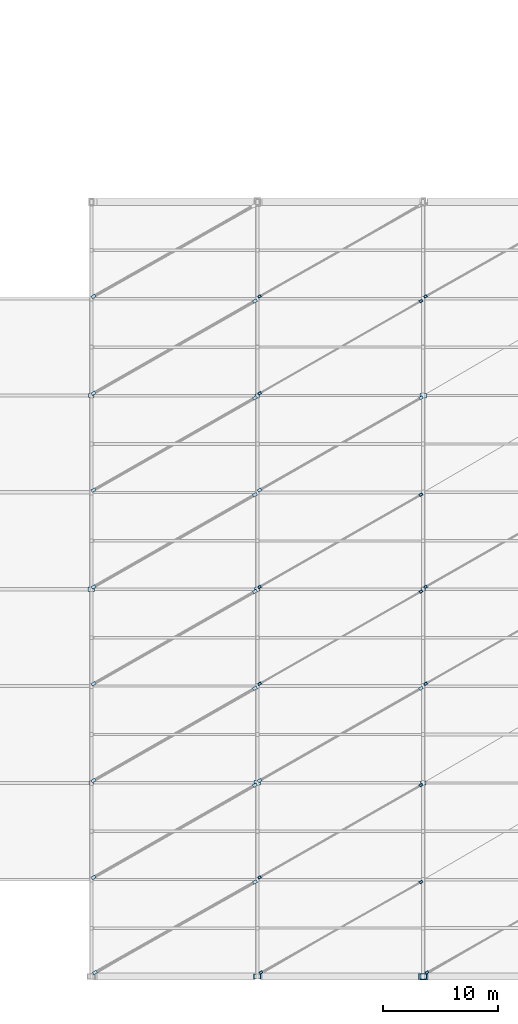
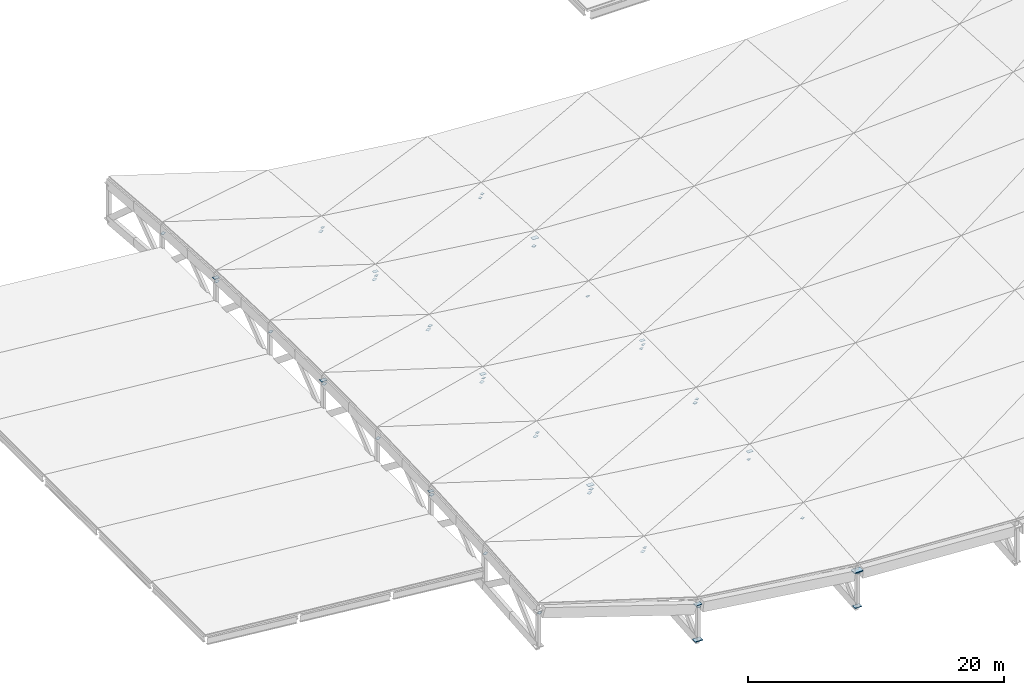
# One storey, part 15 of 22: 47 plates.
"""IFC4 building model written with IfcOpenShell, lengths in metres."""

from ifc_helpers import new_model, si_unit, direction, frame, origin, origin_2d, place, context, subcontext, project, spatial, rectangle, extrude, material, layer, layer_set, type_object, element, save


model = new_model("IFC4")

# Units and contexts
model_context = context("Model", 3, precision=1e-05, world=origin(), true_north=direction((0.0, 1.0)))
body_context = subcontext(model_context, "Body", "Model", "MODEL_VIEW")
ifc_project = project(units=[si_unit("LENGTHUNIT", "METRE"), si_unit("AREAUNIT", "SQUARE_METRE"), si_unit("VOLUMEUNIT", "CUBIC_METRE"), si_unit("PLANEANGLEUNIT", "RADIAN"), si_unit("MASSUNIT", "GRAM", prefix="KILO"), si_unit("THERMODYNAMICTEMPERATUREUNIT", "KELVIN")], contexts=[model_context])

# Site, building, storey
site_placement = place(None, origin())
site = spatial("IfcSite", under=ifc_project, at=site_placement, CompositionType="ELEMENT")
building_placement = place(site_placement, origin())
building = spatial("IfcBuilding", under=site, at=building_placement, Name="Nduvali Passage Aquatics Centre", CompositionType="ELEMENT")
storey_placement = place(building_placement, frame((0.0, 0.0, 21.60009765625)))
storey = spatial("IfcBuildingStorey", under=building, at=storey_placement, Name="RF", CompositionType="ELEMENT", Elevation=21.60009765625)

# Plates
ifc_material = material(Name="Steel S355", Category="steel")
ifc_layer_1 = layer(ifc_material, 0.01611328125, Name="Steel S355")
ifc_layer_set_1 = layer_set([ifc_layer_1], Name="Steel S355")
plate_type_1 = type_object("IfcPlateType", Name="STR-PLT-CAP1", PredefinedType="SHEET", material=ifc_layer_set_1)
for number, where, z_axis, x_axis, name in (
    (1, (39.800048828125, 42.199951171875, -5.308837890625), (0.0, 0.0, 1.0), (0.866025403784, 0.5, 0.0), "Roof Brace End-Cap Gusset Plate 0077"),
    (2, (53.800048828125, 50.199951171875, -6.844482421875), (0.0, 0.0, 1.0), (0.866025403784, 0.5, 0.0), "Roof Brace End-Cap Gusset Plate 0078"),
    (3, (39.800048828125, 67.39990234375, -5.0087890625), (0.0, 0.0, 1.0), (0.866025403784, 0.5, 0.0), "Roof Brace End-Cap Gusset Plate 0083"),
    (4, (53.800048828125, 75.39990234375, -7.14453125), (0.0, 0.0, 1.0), (0.866025403784, 0.5, 0.0), "Roof Brace End-Cap Gusset Plate 0084"),
):
    element("IfcPlate", number, at=place(storey_placement, frame(where, z_axis=z_axis, x_axis=x_axis)), inside=storey, type_object=plate_type_1, Name=name, PredefinedType="SHEET", context=body_context, shape_type="SweptSolid", body=[
        extrude(rectangle(XDim=0.340087890625, YDim=0.239990234375, at=origin_2d()), origin(), (0.0, 0.0, 1.0), 0.01611328125),
    ])
ifc_layer_2 = layer(ifc_material, 0.010009765625, Name="Steel S355")
ifc_layer_set_2 = layer_set([ifc_layer_2], Name="Steel S355")
plate_type_2 = type_object("IfcPlateType", Name="STR-PLT-CAP2", PredefinedType="SHEET", material=ifc_layer_set_2)
for number, where, z_axis, x_axis, name in (
    (5, (39.919921875, 25.550048828125, -6.505859375), (0.0, 0.0, 1.0), (0.866025403784, 0.5, 0.0), "Roof Brace End-Cap Gusset Plate 0073"),
    (6, (53.800048828125, 33.39990234375, -7.6416015625), (0.0, 0.0, 1.0), (0.866025403784, 0.5, 0.0), "Roof Brace End-Cap Gusset Plate 0074"),
    (7, (39.800048828125, 33.800048828125, -5.8056640625), (0.0, 0.0, 1.0), (0.866025403784, 0.5, 0.0), "Roof Brace End-Cap Gusset Plate 0075"),
    (8, (53.800048828125, 41.800048828125, -7.1416015625), (0.0, 0.0, 1.0), (0.866025403784, 0.5, 0.0), "Roof Brace End-Cap Gusset Plate 0076"),
    (9, (39.800048828125, 50.60009765625, -5.005859375), (0.0, 0.0, 1.0), (0.866025403784, 0.5, 0.0), "Roof Brace End-Cap Gusset Plate 0079"),
    (10, (53.800048828125, 58.60009765625, -6.74169921875), (0.0, 0.0, 1.0), (0.866025403784, 0.5, 0.0), "Roof Brace End-Cap Gusset Plate 0080"),
    (11, (39.800048828125, 59.0, -4.90576171875), (0.0, 0.0, 1.0), (0.866025403784, 0.5, 0.0), "Roof Brace End-Cap Gusset Plate 0081"),
    (12, (53.800048828125, 67.0, -6.84130859375), (0.0, 0.0, 1.0), (0.866025403784, 0.5, 0.0), "Roof Brace End-Cap Gusset Plate 0082"),
    (13, (39.800048828125, 75.800048828125, -5.3056640625), (0.0, 0.0, 1.0), (0.866025403784, 0.5, 0.0), "Roof Brace End-Cap Gusset Plate 0085"),
    (14, (53.800048828125, 83.800048828125, -7.6416015625), (0.0, 0.0, 1.0), (0.866025403784, 0.5, 0.0), "Roof Brace End-Cap Gusset Plate 0086"),
    (15, (39.800048828125, 84.199951171875, -5.8056640625), (0.0, 0.0, 1.0), (0.866025403784, 0.5, 0.0), "Roof Brace End-Cap Gusset Plate 0087"),
    (16, (54.320068359375, 25.550048828125, -8.34130859375), (0.0, 0.0, 1.0), (0.866025403784, 0.5, 0.0), "Roof Brace End-Cap Gusset Plate 0089"),
    (17, (54.199951171875, 50.60009765625, -6.84130859375), (0.0, 0.0, 1.0), (0.866025403784, 0.5, 0.0), "Roof Brace End-Cap Gusset Plate 0091"),
    (18, (54.199951171875, 59.0, -6.74169921875), (0.0, 0.0, 1.0), (0.866025403784, 0.5, 0.0), "Roof Brace End-Cap Gusset Plate 0093"),
    (19, (54.199951171875, 84.199951171875, -7.6416015625), (0.0, 0.0, 1.0), (0.866025403784, 0.5, 0.0), "Roof Brace End-Cap Gusset Plate 0095"),
):
    element("IfcPlate", number, at=place(storey_placement, frame(where, z_axis=z_axis, x_axis=x_axis)), inside=storey, type_object=plate_type_2, Name=name, PredefinedType="SHEET", context=body_context, shape_type="SweptSolid", body=[
        extrude(rectangle(XDim=0.280029296875, YDim=0.199951171875, at=origin_2d()), origin(), (0.0, 0.0, 1.0), 0.010009765625),
    ])
ifc_layer_3 = layer(ifc_material, 0.02490234375, Name="Steel S355")
ifc_layer_set_3 = layer_set([ifc_layer_3], Name="Steel S355")
plate_type_3 = type_object("IfcPlateType", Name="STR-PLT-CAP3", PredefinedType="SHEET", material=ifc_layer_set_3)
for number, where, z_axis, x_axis, name in (
    (20, (25.52001953125, 25.550048828125, -2.03466796875), (0.0, 0.0, 1.0), (0.866025403784, 0.5, 0.0), "Roof Brace End-Cap Gusset Plate 0057"),
    (21, (39.39990234375, 33.39990234375, -5.813232421875), (0.0, 0.0, 1.0), (0.866025403784, 0.5, 0.0), "Roof Brace End-Cap Gusset Plate 0058"),
    (22, (25.39990234375, 33.800048828125, -1.33447265625), (0.0, 0.0, 1.0), (0.866025403784, 0.5, 0.0), "Roof Brace End-Cap Gusset Plate 0059"),
    (23, (39.39990234375, 41.800048828125, -5.313232421875), (0.0, 0.0, 1.0), (0.866025403784, 0.5, 0.0), "Roof Brace End-Cap Gusset Plate 0060"),
    (24, (25.39990234375, 42.199951171875, -0.83447265625), (0.0, 0.0, 1.0), (0.866025403784, 0.5, 0.0), "Roof Brace End-Cap Gusset Plate 0061"),
    (25, (39.39990234375, 50.199951171875, -5.01318359375), (0.0, 0.0, 1.0), (0.866025403784, 0.5, 0.0), "Roof Brace End-Cap Gusset Plate 0062"),
    (26, (25.39990234375, 50.60009765625, -0.53466796875), (0.0, 0.0, 1.0), (0.866025403784, 0.5, 0.0), "Roof Brace End-Cap Gusset Plate 0063"),
    (27, (39.39990234375, 58.60009765625, -4.913330078125), (0.0, 0.0, 1.0), (0.866025403784, 0.5, 0.0), "Roof Brace End-Cap Gusset Plate 0064"),
    (28, (25.39990234375, 59.0, -0.4345703125), (0.0, 0.0, 1.0), (0.866025403784, 0.5, 0.0), "Roof Brace End-Cap Gusset Plate 0065"),
    (29, (39.39990234375, 67.0, -5.01318359375), (0.0, 0.0, 1.0), (0.866025403784, 0.5, 0.0), "Roof Brace End-Cap Gusset Plate 0066"),
    (30, (25.39990234375, 67.39990234375, -0.53466796875), (0.0, 0.0, 1.0), (0.866025403784, 0.5, 0.0), "Roof Brace End-Cap Gusset Plate 0067"),
    (31, (39.39990234375, 75.39990234375, -5.313232421875), (0.0, 0.0, 1.0), (0.866025403784, 0.5, 0.0), "Roof Brace End-Cap Gusset Plate 0068"),
    (32, (25.39990234375, 75.800048828125, -0.83447265625), (0.0, 0.0, 1.0), (0.866025403784, 0.5, 0.0), "Roof Brace End-Cap Gusset Plate 0069"),
    (33, (39.39990234375, 83.800048828125, -5.813232421875), (0.0, 0.0, 1.0), (0.866025403784, 0.5, 0.0), "Roof Brace End-Cap Gusset Plate 0070"),
    (34, (25.39990234375, 84.199951171875, -1.33447265625), (0.0, 0.0, 1.0), (0.866025403784, 0.5, 0.0), "Roof Brace End-Cap Gusset Plate 0071"),
):
    element("IfcPlate", number, at=place(storey_placement, frame(where, z_axis=z_axis, x_axis=x_axis)), inside=storey, type_object=plate_type_3, Name=name, PredefinedType="SHEET", context=body_context, shape_type="SweptSolid", body=[
        extrude(rectangle(XDim=0.3798828125, YDim=0.260009765625, at=origin_2d()), origin(), (0.0, 0.0, 1.0), 0.02490234375),
    ])
ifc_layer_4 = layer(ifc_material, 0.070068359375, Name="Steel S355")
ifc_layer_set_4 = layer_set([ifc_layer_4], Name="Steel S355")
plate_type_4 = type_object("IfcPlateType", Name="STR-PLT-GN2", PredefinedType="SHEET", material=ifc_layer_set_4)
plate_1_placement = place(storey_placement, frame((39.60009765625, 25.199951171875, -9.35791015625), z_axis=(0.0, 0.0, 1.0), x_axis=(1.0, 0.0, 0.0)))
element("IfcPlate", 35, at=plate_1_placement, inside=storey, type_object=plate_type_4, Name="Glulam Arch Pinned Steel Shoe Node GN2 Rib 2", PredefinedType="SHEET", context=body_context, shape_type="SweptSolid", body=[
    extrude(rectangle(XDim=0.679931640625, YDim=0.4599609375, at=origin_2d()), origin(), (0.0, 0.0, 1.0), 0.070068359375),
])
ifc_layer_5 = layer(ifc_material, 0.06005859375, Name="Steel S355")
ifc_layer_set_5 = layer_set([ifc_layer_5], Name="Steel S355")
plate_type_5 = type_object("IfcPlateType", Name="STR-PLT-GN3", PredefinedType="SHEET", material=ifc_layer_set_5)
plate_2_placement = place(storey_placement, frame((54.0, 25.199951171875, -11.1884765625), z_axis=(0.0, 0.0, 1.0), x_axis=(1.0, 0.0, 0.0)))
element("IfcPlate", 36, at=plate_2_placement, inside=storey, type_object=plate_type_5, Name="Glulam Arch Pinned Steel Shoe Node GN3 Rib 3", PredefinedType="SHEET", context=body_context, shape_type="SweptSolid", body=[
    extrude(rectangle(XDim=0.60009765625, YDim=0.419921875, at=origin_2d()), origin(), (0.0, 0.0, 1.0), 0.06005859375),
])
ifc_layer_6 = layer(ifc_material, 0.0400390625, Name="Steel S355")
ifc_layer_set_6 = layer_set([ifc_layer_6], Name="Steel S355")
plate_type_6 = type_object("IfcPlateType", Name="STR-PLT-GN4", PredefinedType="SHEET", material=ifc_layer_set_6)
for number, where, z_axis, x_axis, name in (
    (37, (25.199951171875, 58.800048828125, 0.10595703125), (0.0, 0.0, 1.0), (1.0, 0.0, 0.0), "Glulam Truss Splice Node GN4 R1"),
    (38, (39.60009765625, 42.0, -4.742919921875), (0.0, 0.0, 1.0), (1.0, 0.0, 0.0), "Glulam Truss Splice Node GN4 R2"),
    (39, (54.0, 75.60009765625, -6.57861328125), (0.0, 0.0, 1.0), (1.0, 0.0, 0.0), "Glulam Truss Splice Node GN4 R3"),
):
    element("IfcPlate", number, at=place(storey_placement, frame(where, z_axis=z_axis, x_axis=x_axis)), inside=storey, type_object=plate_type_6, Name=name, PredefinedType="SHEET", context=body_context, shape_type="SweptSolid", body=[
        extrude(rectangle(XDim=0.5400390625, YDim=0.3798828125, at=origin_2d()), origin(), (0.0, 0.0, 1.0), 0.0400390625),
    ])
ifc_layer_7 = layer(ifc_material, 0.030029296875, Name="Steel S355")
ifc_layer_set_7 = layer_set([ifc_layer_7], Name="Steel S355")
plate_type_7 = type_object("IfcPlateType", Name="STR-PLT-GN5", PredefinedType="SHEET", material=ifc_layer_set_7)
for number, where, z_axis, x_axis, name in (
    (40, (25.199951171875, 75.60009765625, -0.2890625), (0.0, 0.0, 1.0), (1.0, 0.0, 0.0), "Glulam Truss Splice Node GN5 R1"),
    (41, (39.60009765625, 58.800048828125, -4.337890625), (0.0, 0.0, 1.0), (1.0, 0.0, 0.0), "Glulam Truss Splice Node GN5 R2"),
    (42, (54.0, 42.0, -6.57373046875), (0.0, 0.0, 1.0), (1.0, 0.0, 0.0), "Glulam Truss Splice Node GN5 R3"),
):
    element("IfcPlate", number, at=place(storey_placement, frame(where, z_axis=z_axis, x_axis=x_axis)), inside=storey, type_object=plate_type_7, Name=name, PredefinedType="SHEET", context=body_context, shape_type="SweptSolid", body=[
        extrude(rectangle(XDim=0.47998046875, YDim=0.340087890625, at=origin_2d()), origin(), (0.0, 0.0, 1.0), 0.030029296875),
    ])
ifc_layer_8 = layer(ifc_material, 0.02001953125, Name="Steel S355")
ifc_layer_set_8 = layer_set([ifc_layer_8], Name="Steel S355")
plate_type_8 = type_object("IfcPlateType", Name="STR-PLT-GN6", PredefinedType="SHEET", material=ifc_layer_set_8)
for number, where, z_axis, x_axis, name in (
    (43, (25.199951171875, 42.0, -0.2841796875), (0.0, 0.0, 1.0), (1.0, 0.0, 0.0), "Glulam Truss Splice Node GN6 R1"),
    (44, (39.60009765625, 75.60009765625, -4.73291015625), (0.0, 0.0, 1.0), (1.0, 0.0, 0.0), "Glulam Truss Splice Node GN6 R2"),
    (45, (54.0, 58.800048828125, -6.16845703125), (0.0, 0.0, 1.0), (1.0, 0.0, 0.0), "Glulam Truss Splice Node GN6 R3"),
):
    element("IfcPlate", number, at=place(storey_placement, frame(where, z_axis=z_axis, x_axis=x_axis)), inside=storey, type_object=plate_type_8, Name=name, PredefinedType="SHEET", context=body_context, shape_type="SweptSolid", body=[
        extrude(rectangle(XDim=0.419921875, YDim=0.300048828125, at=origin_2d()), origin(), (0.0, 0.0, 1.0), 0.02001953125),
    ])
ifc_layer_9 = layer(ifc_material, 0.090087890625, Name="Steel S355")
ifc_layer_set_9 = layer_set([ifc_layer_9], Name="Steel S355")
plate_type_9 = type_object("IfcPlateType", Name="STR-PLT-GN7", PredefinedType="SHEET", material=ifc_layer_set_9)
plate_3_placement = place(storey_placement, frame((54.0, 25.199951171875, -7.8037109375), z_axis=(0.0, 0.0, 1.0), x_axis=(1.0, 0.0, 0.0)))
element("IfcPlate", 46, at=plate_3_placement, inside=storey, type_object=plate_type_9, Name="Glulam Arch Pinned Steel Shoe Node GN7 Rib 3", PredefinedType="SHEET", context=body_context, shape_type="SweptSolid", body=[
    extrude(rectangle(XDim=0.820068359375, YDim=0.56005859375, at=origin_2d()), origin(), (0.0, 0.0, 1.0), 0.090087890625),
])
ifc_layer_10 = layer(ifc_material, 0.050048828125, Name="Steel S355")
ifc_layer_set_10 = layer_set([ifc_layer_10], Name="Steel S355")
plate_type_10 = type_object("IfcPlateType", Name="STR-PLT-GN8", PredefinedType="SHEET", material=ifc_layer_set_10)
plate_4_placement = place(storey_placement, frame((39.60009765625, 25.199951171875, -5.94775390625), z_axis=(0.0, 0.0, 1.0), x_axis=(1.0, 0.0, 0.0)))
element("IfcPlate", 47, at=plate_4_placement, inside=storey, type_object=plate_type_10, Name="Glulam Arch Pinned Steel Shoe Node GN8 Rib 2", PredefinedType="SHEET", context=body_context, shape_type="SweptSolid", body=[
    extrude(rectangle(XDim=0.580078125, YDim=0.39990234375, at=origin_2d()), origin(), (0.0, 0.0, 1.0), 0.050048828125),
])

save(model, "model.ifc")
